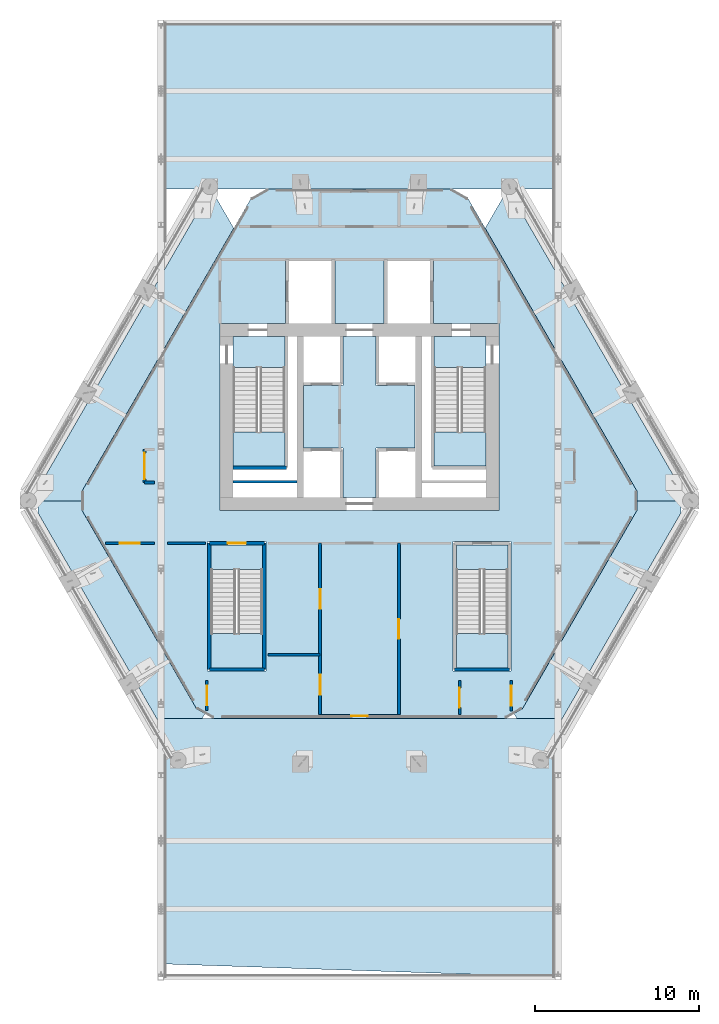
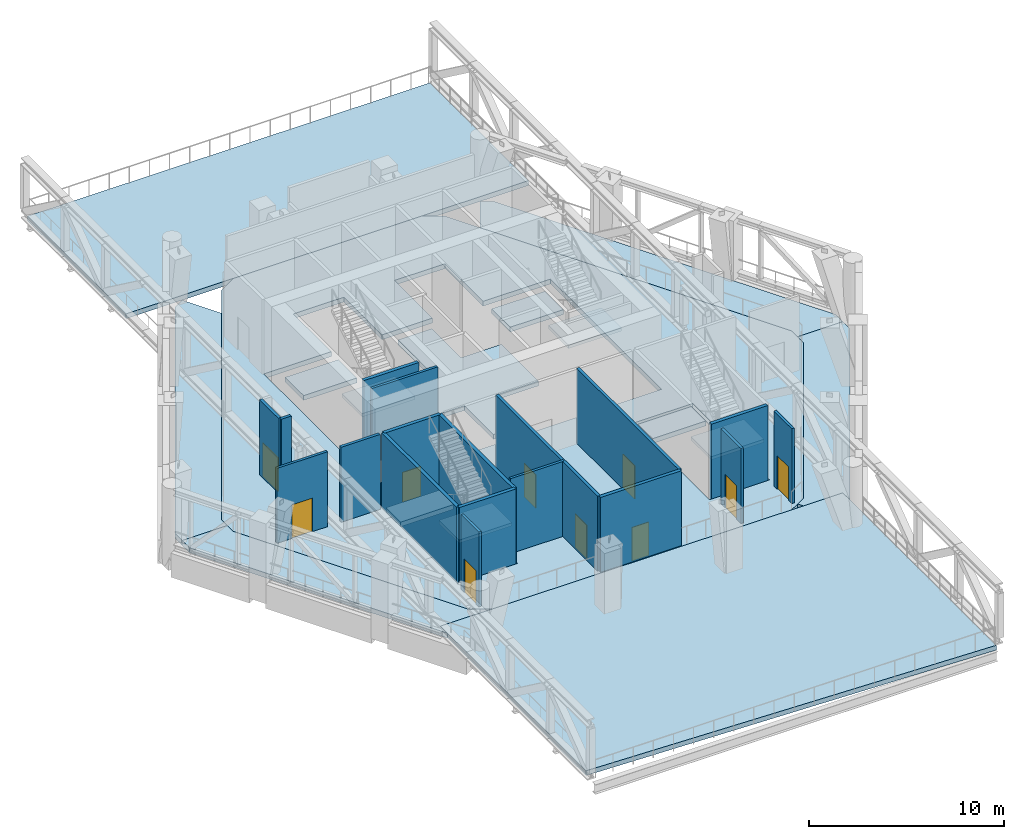
# One storey, part 9 of 22: 18 walls, 16 slabs, 10 doors, 10 openings, 4 elements without a shape of their own.
"""IFC4 building model written with IfcOpenShell, lengths in metres."""

from ifc_helpers import new_model, si_unit, direction, frame, frame_2d, origin, place, context, subcontext, project, spatial, polyline, rectangle, outline, extrude, material, layer, layer_set, type_object, element, fill, aggregate, save


model = new_model("IFC4")

# Units and contexts
model_context = context("Model", 3, precision=1e-05, world=origin(), true_north=direction((0.0, 1.0)))
body_context = subcontext(model_context, "Body", "Model", "MODEL_VIEW")
ifc_project = project(units=[si_unit("LENGTHUNIT", "METRE"), si_unit("AREAUNIT", "SQUARE_METRE"), si_unit("VOLUMEUNIT", "CUBIC_METRE"), si_unit("PLANEANGLEUNIT", "RADIAN"), si_unit("MASSUNIT", "GRAM", prefix="KILO")], contexts=[model_context])

# Site, building, storey
site_placement = place(None, origin())
site = spatial("IfcSite", under=ifc_project, at=site_placement, CompositionType="ELEMENT")
building_placement = place(site_placement, origin())
building = spatial("IfcBuilding", under=site, at=building_placement, Name="Ostrander Bayou Hotel Tower", CompositionType="ELEMENT")
storey_placement = place(building_placement, frame((0.0, 0.0, 209.5)))
storey = spatial("IfcBuildingStorey", under=building, at=storey_placement, Name="L52", CompositionType="ELEMENT", Elevation=209.5)

# Slabs
ifc_material_1 = material(Name="Concrete f'c 40 MPa", Category="concrete")
ifc_layer_1 = layer(ifc_material_1, 0.300048828125)
ifc_layer_set_1 = layer_set([ifc_layer_1], Name="SL1 floor slab 300 mm f'c 40 MPa")
slab_type_1 = type_object("IfcSlabType", Name="SL1 floor slab 300 mm f'c 40 MPa", PredefinedType="FLOOR", material=ifc_layer_set_1)
slab_1_placement = place(storey_placement, frame((0.0, 0.0, -0.300048828125)))
element("IfcSlab", 1, at=slab_1_placement, inside=storey, type_object=slab_type_1, Name="SL1 L52 1", PredefinedType="FLOOR", context=body_context, shape_type="SweptSolid", body=[
    extrude(outline(polyline([(6.624755859375, 17.300048828125), (16.908935546875, -0.5126953125), (16.908935546875, -1.712890625), (9.937744140625, -13.787109375), (8.898681640625, -14.38720703125), (-8.898681640625, -14.38720703125), (-9.937744140625, -13.787109375), (-16.908935546875, -1.712890625), (-16.908935546875, -0.5126953125), (-6.624755859375, 17.300048828125), (-5.58544921875, 17.89990234375), (5.58544921875, 17.89990234375), (6.624755859375, 17.300048828125)]), holes=[polyline([(9.25, -3.60009765625), (5.699951171875, -3.60009765625), (5.699951171875, -11.5), (9.25, -11.5), (9.25, -3.60009765625)]), polyline([(-8.5, -1.699951171875), (8.5, -1.699951171875), (8.5, 9.699951171875), (4.5, 9.699951171875), (4.5, 13.60009765625), (1.5, 13.60009765625), (1.5, 9.699951171875), (-1.5, 9.699951171875), (-1.5, 13.60009765625), (-4.5, 13.60009765625), (-4.5, 9.699951171875), (-8.5, 9.699951171875), (-8.5, -1.699951171875)]), polyline([(-5.699951171875, -3.60009765625), (-9.25, -3.60009765625), (-9.25, -11.5), (-5.699951171875, -11.5), (-5.699951171875, -3.60009765625)])]), origin(), (0.0, 0.0, 1.0), 0.300048828125),
])
slab_2_placement = place(storey_placement, frame((0.0, 0.0, -0.300048828125)))
element("IfcSlab", 2, at=slab_2_placement, inside=storey, type_object=slab_type_1, Name="cslab:L52:001", PredefinedType="FLOOR", context=body_context, shape_type="SweptSolid", body=[
    extrude(outline(polyline([(-3.39990234375, 5.89990234375), (-1.0, 5.89990234375), (-1.0, 8.89990234375), (1.0, 8.89990234375), (1.0, 5.89990234375), (3.39990234375, 5.89990234375), (3.39990234375, 2.10009765625), (1.0, 2.10009765625), (1.0, -0.89990234375), (-1.0, -0.89990234375), (-1.0, 2.10009765625), (-3.39990234375, 2.10009765625), (-3.39990234375, 5.89990234375)])), origin(), (0.0, 0.0, 1.0), 0.300048828125),
])
slab_3_placement = place(storey_placement, frame((0.0, 0.0, -0.300048828125)))
element("IfcSlab", 3, at=slab_3_placement, inside=storey, type_object=slab_type_1, Name="cslab:L52:002", PredefinedType="FLOOR", context=body_context, shape_type="SweptSolid", body=[
    extrude(outline(polyline([(-4.550048828125, 7.0), (-4.550048828125, 8.89990234375), (-7.699951171875, 8.89990234375), (-7.699951171875, 7.0), (-4.550048828125, 7.0)])), origin(), (0.0, 0.0, 1.0), 0.300048828125),
])
slab_4_placement = place(storey_placement, frame((0.0, 0.0, -0.300048828125)))
element("IfcSlab", 4, at=slab_4_placement, inside=storey, type_object=slab_type_1, Name="cslab:L52:003", PredefinedType="FLOOR", context=body_context, shape_type="SweptSolid", body=[
    extrude(outline(polyline([(7.699951171875, 7.0), (7.699951171875, 8.89990234375), (4.550048828125, 8.89990234375), (4.550048828125, 7.0), (7.699951171875, 7.0)])), origin(), (0.0, 0.0, 1.0), 0.300048828125),
])
slab_5_placement = place(storey_placement, frame((0.0, 0.0, -0.300048828125)))
element("IfcSlab", 5, at=slab_5_placement, inside=storey, type_object=slab_type_1, Name="cslab:L52:004", PredefinedType="FLOOR", context=body_context, shape_type="SweptSolid", body=[
    extrude(outline(polyline([(9.050048828125, -5.300048828125), (9.050048828125, -3.800048828125), (5.89990234375, -3.800048828125), (5.89990234375, -5.300048828125), (9.050048828125, -5.300048828125)])), origin(), (0.0, 0.0, 1.0), 0.300048828125),
])
slab_6_placement = place(storey_placement, frame((0.0, 0.0, -0.300048828125)))
element("IfcSlab", 6, at=slab_6_placement, inside=storey, type_object=slab_type_1, Name="cslab:L52:005", PredefinedType="FLOOR", context=body_context, shape_type="SweptSolid", body=[
    extrude(outline(polyline([(-5.89990234375, -5.300048828125), (-5.89990234375, -3.800048828125), (-9.050048828125, -3.800048828125), (-9.050048828125, -5.300048828125), (-5.89990234375, -5.300048828125)])), origin(), (0.0, 0.0, 1.0), 0.300048828125),
])
ifc_material_2 = material(Name="Concrete f'c 40 MPa", Category="concrete")
ifc_layer_2 = layer(ifc_material_2, 0.300048828125)
ifc_layer_set_2 = layer_set([ifc_layer_2], Name="SL4 loggia slab 300 mm f'c 40 MPa")
slab_type_2 = type_object("IfcSlabType", Name="SL4 loggia slab 300 mm f'c 40 MPa", PredefinedType="FLOOR", material=ifc_layer_set_2)
slab_7_placement = place(storey_placement, frame((0.0, 0.0, -0.300048828125)))
element("IfcSlab", 7, at=slab_7_placement, inside=storey, type_object=slab_type_2, Name="SL4 LOGGIA L52 NW 1", PredefinedType="FLOOR", context=body_context, shape_type="SweptSolid", body=[
    extrude(outline(polyline([(-19.593505859375, -0.36279296875), (-16.582275390625, 4.853271484375), (-16.1123046875, 5.667236328125), (-12.964111328125, 11.119873046875), (-12.494140625, 11.93408203125), (-9.482666015625, 17.14990234375), (-8.8330078125, 17.52490234375), (-7.6640625, 15.5), (-16.908935546875, -0.5126953125), (-16.908935546875, -1.11279296875), (-19.593505859375, -1.11279296875), (-19.593505859375, -0.36279296875)])), origin(), (0.0, 0.0, 1.0), 0.300048828125),
])
slab_8_placement = place(storey_placement, frame((0.0, 0.0, -0.300048828125)))
element("IfcSlab", 8, at=slab_8_placement, inside=storey, type_object=slab_type_2, Name="SL4 LOGGIA L52 SW 1", PredefinedType="FLOOR", context=body_context, shape_type="SweptSolid", body=[
    extrude(outline(polyline([(-9.418212890625, -14.087158203125), (-9.59130859375, -14.38720703125), (-11.93212890625, -14.38720703125), (-11.93212890625, -15.1328125), (-13.457763671875, -12.490478515625), (-13.927734375, -11.67626953125), (-17.075927734375, -6.2236328125), (-17.5458984375, -5.40966796875), (-19.593505859375, -1.86279296875), (-19.593505859375, -1.11279296875), (-16.908935546875, -1.11279296875), (-16.908935546875, -1.712890625), (-9.937744140625, -13.787109375), (-9.418212890625, -14.087158203125)])), origin(), (0.0, 0.0, 1.0), 0.300048828125),
])
slab_9_placement = place(storey_placement, frame((0.0, 0.0, -0.300048828125)))
element("IfcSlab", 9, at=slab_9_placement, inside=storey, type_object=slab_type_2, Name="SL4 LOGGIA L52 SE 1", PredefinedType="FLOOR", context=body_context, shape_type="SweptSolid", body=[
    extrude(outline(polyline([(13.927734375, -11.67626953125), (13.457763671875, -12.490478515625), (11.93212890625, -15.1328125), (11.93212890625, -14.38720703125), (9.59130859375, -14.38720703125), (9.418212890625, -14.087158203125), (9.937744140625, -13.787109375), (16.908935546875, -1.712890625), (16.908935546875, -1.11279296875), (19.593505859375, -1.11279296875), (19.593505859375, -1.86279296875), (17.5458984375, -5.40966796875), (17.075927734375, -6.2236328125), (13.927734375, -11.67626953125)])), origin(), (0.0, 0.0, 1.0), 0.300048828125),
])
slab_10_placement = place(storey_placement, frame((0.0, 0.0, -0.300048828125)))
element("IfcSlab", 10, at=slab_10_placement, inside=storey, type_object=slab_type_2, Name="SL4 LOGGIA L52 NE 1", PredefinedType="FLOOR", context=body_context, shape_type="SweptSolid", body=[
    extrude(outline(polyline([(9.482666015625, 17.14990234375), (12.494140625, 11.93408203125), (12.964111328125, 11.119873046875), (16.1123046875, 5.667236328125), (16.582275390625, 4.853271484375), (16.65771484375, 4.722412109375), (18.509033203125, 1.515625), (19.593505859375, -0.36279296875), (19.593505859375, -1.11279296875), (16.908935546875, -1.11279296875), (16.908935546875, -0.5126953125), (7.6640625, 15.5), (8.8330078125, 17.52490234375), (9.482666015625, 17.14990234375)])), origin(), (0.0, 0.0, 1.0), 0.300048828125),
])
ifc_material_3 = material(Name="Concrete f'c 40 MPa", Category="concrete")
ifc_layer_3 = layer(ifc_material_3, 0.300048828125)
ifc_layer_set_3 = layer_set([ifc_layer_3], Name="SL6B terrace roof slab 300 mm f'c 40 MPa")
slab_type_3 = type_object("IfcSlabType", Name="SL6B terrace roof slab 300 mm f'c 40 MPa", PredefinedType="ROOF", material=ifc_layer_set_3)
slab_11_placement = place(storey_placement, frame((0.0, 0.0, -0.300048828125)))
element("IfcSlab", 11, at=slab_11_placement, inside=storey, type_object=slab_type_3, Name="SL6B ROOF SB4 1", PredefinedType="ROOF", context=body_context, shape_type="SweptSolid", body=[
    extrude(outline(polyline([(-11.93212890625, -14.38720703125), (11.93212890625, -14.38720703125), (11.93212890625, -30.14990234375), (-11.93212890625, -29.35009765625), (-11.93212890625, -14.38720703125)])), origin(), (0.0, 0.0, 1.0), 0.300048828125),
])
slab_12_placement = place(storey_placement, frame((0.0, 0.0, -0.300048828125)))
element("IfcSlab", 12, at=slab_12_placement, inside=storey, type_object=slab_type_3, Name="SL6B ROOF SB4 1", PredefinedType="ROOF", context=body_context, shape_type="SweptSolid", body=[
    extrude(outline(polyline([(-11.93212890625, 28.01611328125), (11.93212890625, 28.01611328125), (11.93212890625, 17.89990234375), (-11.93212890625, 17.89990234375), (-11.93212890625, 28.01611328125)])), origin(), (0.0, 0.0, 1.0), 0.300048828125),
])

# Stair, slab
ifc_material_4 = material(Name="Concrete f'c 45 MPa", Category="concrete")
stair_type = type_object("IfcStairType", Name="ST1 exit stair 1500 mm f'c 45 MPa", PredefinedType="HALF_TURN_STAIR", material=ifc_material_4)
stair_1_placement = place(storey_placement, origin())
stair_1 = element("IfcStair", 13, at=stair_1_placement, inside=storey, type_object=stair_type, Name="L52 exit stair A", PredefinedType="HALF_TURN_STAIR")
ifc_material_5 = material(Name="Concrete f'c 45 MPa", Category="concrete")
ifc_layer_4 = layer(ifc_material_5, 0.199951171875)
ifc_layer_set_4 = layer_set([ifc_layer_4], Name="SL8 stair landing 200 mm f'c 45 MPa")
slab_type_4 = type_object("IfcSlabType", Name="SL8 stair landing 200 mm f'c 45 MPa", PredefinedType="LANDING", material=ifc_layer_set_4)
slab_13_placement = place(storey_placement, frame((0.0, 0.0, 2.300048828125)))
slab_13 = element("IfcSlab", 14, at=slab_13_placement, type_object=slab_type_4, Name="STA landing 1", PredefinedType="LANDING", context=body_context, shape_type="SweptSolid", body=[
    extrude(outline(polyline([(-7.699951171875, 3.080078125), (-7.699951171875, 1.0), (-4.550048828125, 1.0), (-4.550048828125, 3.080078125), (-7.699951171875, 3.080078125)])), origin(), (0.0, 0.0, 1.0), 0.199951171875),
])
aggregate(stair_1, [slab_13])

stair_2_placement = place(storey_placement, origin())
stair_2 = element("IfcStair", 15, at=stair_2_placement, inside=storey, type_object=stair_type, Name="L52 exit stair B", PredefinedType="HALF_TURN_STAIR")
slab_14_placement = place(storey_placement, frame((0.0, 0.0, 2.300048828125)))
slab_14 = element("IfcSlab", 16, at=slab_14_placement, type_object=slab_type_4, Name="STB landing 1", PredefinedType="LANDING", context=body_context, shape_type="SweptSolid", body=[
    extrude(outline(polyline([(4.550048828125, 3.080078125), (4.550048828125, 1.0), (7.699951171875, 1.0), (7.699951171875, 3.080078125), (4.550048828125, 3.080078125)])), origin(), (0.0, 0.0, 1.0), 0.199951171875),
])
aggregate(stair_2, [slab_14])

stair_3_placement = place(storey_placement, origin())
stair_3 = element("IfcStair", 17, at=stair_3_placement, inside=storey, type_object=stair_type, Name="L52 exit stair C", PredefinedType="HALF_TURN_STAIR")
slab_15_placement = place(storey_placement, frame((0.0, 0.0, 2.300048828125)))
slab_15 = element("IfcSlab", 18, at=slab_15_placement, type_object=slab_type_4, Name="STC landing 1", PredefinedType="LANDING", context=body_context, shape_type="SweptSolid", body=[
    extrude(outline(polyline([(5.89990234375, -9.219970703125), (5.89990234375, -11.300048828125), (9.050048828125, -11.300048828125), (9.050048828125, -9.219970703125), (5.89990234375, -9.219970703125)])), origin(), (0.0, 0.0, 1.0), 0.199951171875),
])
aggregate(stair_3, [slab_15])

stair_4_placement = place(storey_placement, origin())
stair_4 = element("IfcStair", 19, at=stair_4_placement, inside=storey, type_object=stair_type, Name="L52 exit stair D", PredefinedType="HALF_TURN_STAIR")
slab_16_placement = place(storey_placement, frame((0.0, 0.0, 2.300048828125)))
slab_16 = element("IfcSlab", 20, at=slab_16_placement, type_object=slab_type_4, Name="STD landing 1", PredefinedType="LANDING", context=body_context, shape_type="SweptSolid", body=[
    extrude(outline(polyline([(-9.050048828125, -9.219970703125), (-9.050048828125, -11.300048828125), (-5.89990234375, -11.300048828125), (-5.89990234375, -9.219970703125), (-9.050048828125, -9.219970703125)])), origin(), (0.0, 0.0, 1.0), 0.199951171875),
])
aggregate(stair_4, [slab_16])

# Walls
ifc_material_6 = material(Name="Gypsum board partition", Category="finish")
ifc_layer_5 = layer(ifc_material_6, 0.175048828125)
ifc_layer_set_5 = layer_set([ifc_layer_5], Name="PT4 corridor wall 175 mm, 1 hour")
wall_type_1 = type_object("IfcWallType", Name="PT4 corridor wall 175 mm, 1 hour", PredefinedType="PARTITIONING", material=ifc_layer_set_5)
wall_1_placement = place(storey_placement, frame((-11.7099609375, -3.699951171875, 0.0), z_axis=(0.0, 0.0, 1.0), x_axis=(1.0, 0.0, 0.0)))
element("IfcWall", 21, at=wall_1_placement, inside=storey, type_object=wall_type_1, Name="sw:L52:001", PredefinedType="PARTITIONING", context=body_context, shape_type="SweptSolid", body=[
    extrude(rectangle(XDim=2.330078125, YDim=0.175048828125, at=frame_2d((1.1650390625, 0.0))), origin(), (0.0, 0.0, 1.0), 4.699951171875),
])
wall_2_placement = place(storey_placement, frame((-13.110107421875, 0.010009765625, 0.0), z_axis=(0.0, 0.0, 1.0), x_axis=(1.0, 0.0, 0.0)))
element("IfcWall", 22, at=wall_2_placement, inside=storey, type_object=wall_type_1, Name="sw:L52:004", PredefinedType="PARTITIONING", context=body_context, shape_type="SweptSolid", body=[
    extrude(rectangle(XDim=0.60009765625, YDim=0.175048828125, at=frame_2d((0.300048828125, 0.0))), origin(), (0.0, 0.0, 1.0), 4.699951171875),
])

# Wall, opening, door
wall_3_placement = place(storey_placement, frame((-13.110107421875, 0.010498046875, 0.0), z_axis=(0.0, 0.0, 1.0), x_axis=(0.0, 1.0, 0.0)))
wall_3 = element("IfcWall", 23, at=wall_3_placement, inside=storey, type_object=wall_type_1, Name="sw:L52:009", PredefinedType="PARTITIONING", context=body_context, shape_type="SweptSolid", body=[
    extrude(rectangle(XDim=2.0, YDim=0.175048828125, at=frame_2d((1.0, 0.0))), origin(), (0.0, 0.0, 1.0), 4.699951171875),
])
opening_1_placement = place(wall_3_placement, frame((0.199951171875, 0.0, 0.0)))
opening_1 = element("IfcOpeningElement", 24, at=opening_1_placement, cuts=wall_3, Name="Opening T52-202", PredefinedType="OPENING", context=body_context, shape_type="SweptSolid", body=[
    extrude(rectangle(XDim=1.60009765625, YDim=2.10009765625, at=frame_2d((0.800048828125, 1.050048828125))), frame((0.0, 0.08740234375, 0.0), z_axis=(0.0, -1.0, 0.0), x_axis=(1.0, 0.0, 0.0)), (0.0, 0.0, 1.0), 0.175048828125),
])
ifc_material_7 = material(Name="Timber door leaf", Category="wood")
door_type_1 = type_object("IfcDoorType", Name="D13 double door 1600 x 2100 mm, 1 hour", OperationType="SINGLE_SWING_LEFT", PredefinedType="DOOR", material=ifc_material_7)
door_1_placement = place(opening_1_placement, origin())
door_1 = element("IfcDoor", 25, at=door_1_placement, inside=storey, type_object=door_type_1, Name="dr:L52:202", OperationType="DOUBLE_DOOR_SINGLE_SWING", OverallHeight=2.10009765625, OverallWidth=1.60009765625, PredefinedType="DOOR", context=body_context, shape_type="SweptSolid", body=[
    extrude(rectangle(XDim=1.60009765625, YDim=2.10009765625, at=frame_2d((0.800048828125, 1.050048828125))), frame((0.0, 0.02490234375, 0.0), z_axis=(0.0, -1.0, 0.0), x_axis=(1.0, 0.0, 0.0)), (0.0, 0.0, 1.0), 0.050048828125),
])
fill(opening_1, door_1)

# Wall, openings, doors
wall_4_placement = place(storey_placement, frame((-2.39990234375, -14.1572265625, 0.0), z_axis=(0.0, 0.0, 1.0), x_axis=(0.0, 1.0, 0.0)))
wall_4 = element("IfcWall", 26, at=wall_4_placement, inside=storey, type_object=wall_type_1, Name="sw:L52:010", PredefinedType="PARTITIONING", context=body_context, shape_type="SweptSolid", body=[
    extrude(rectangle(XDim=10.457275390625, YDim=0.175048828125, at=frame_2d((5.228515625, 0.0))), origin(), (0.0, 0.0, 1.0), 4.699951171875),
])
opening_2_placement = place(wall_4_placement, frame((1.228515625, 0.0, 0.0)))
opening_2 = element("IfcOpeningElement", 27, at=opening_2_placement, cuts=wall_4, Name="Opening T52-207", PredefinedType="OPENING", context=body_context, shape_type="SweptSolid", body=[
    extrude(rectangle(XDim=1.199951171875, YDim=2.10009765625, at=frame_2d((0.60009765625, 1.050048828125))), frame((0.0, 0.08740234375, 0.0), z_axis=(0.0, -1.0, 0.0), x_axis=(1.0, 0.0, 0.0)), (0.0, 0.0, 1.0), 0.175048828125),
])
opening_3_placement = place(wall_4_placement, frame((6.457275390625, 0.0, 0.0)))
opening_3 = element("IfcOpeningElement", 28, at=opening_3_placement, cuts=wall_4, Name="Opening T52-208", PredefinedType="OPENING", context=body_context, shape_type="SweptSolid", body=[
    extrude(rectangle(XDim=1.199951171875, YDim=2.10009765625, at=frame_2d((0.60009765625, 1.050048828125))), frame((0.0, 0.08740234375, 0.0), z_axis=(0.0, -1.0, 0.0), x_axis=(1.0, 0.0, 0.0)), (0.0, 0.0, 1.0), 0.175048828125),
])
ifc_material_8 = material(Name="Timber door leaf", Category="wood")
door_type_2 = type_object("IfcDoorType", Name="D10 plant room door 1200 x 2100 mm, 1 hour", OperationType="SINGLE_SWING_LEFT", PredefinedType="DOOR", material=ifc_material_8)
door_2_placement = place(opening_2_placement, origin())
door_2 = element("IfcDoor", 29, at=door_2_placement, inside=storey, type_object=door_type_2, Name="dr:L52:207", OperationType="SINGLE_SWING_LEFT", OverallHeight=2.10009765625, OverallWidth=1.199951171875, PredefinedType="DOOR", context=body_context, shape_type="SweptSolid", body=[
    extrude(rectangle(XDim=1.199951171875, YDim=2.10009765625, at=frame_2d((0.60009765625, 1.050048828125))), frame((0.0, 0.02490234375, 0.0), z_axis=(0.0, -1.0, 0.0), x_axis=(1.0, 0.0, 0.0)), (0.0, 0.0, 1.0), 0.050048828125),
])
fill(opening_2, door_2)
door_3_placement = place(opening_3_placement, origin())
door_3 = element("IfcDoor", 30, at=door_3_placement, inside=storey, type_object=door_type_2, Name="dr:L52:208", OperationType="SINGLE_SWING_RIGHT", OverallHeight=2.10009765625, OverallWidth=1.199951171875, PredefinedType="DOOR", context=body_context, shape_type="SweptSolid", body=[
    extrude(rectangle(XDim=1.199951171875, YDim=2.10009765625, at=frame_2d((0.60009765625, 1.050048828125))), frame((0.0, 0.02490234375, 0.0), z_axis=(0.0, -1.0, 0.0), x_axis=(1.0, 0.0, 0.0)), (0.0, 0.0, 1.0), 0.050048828125),
])
fill(opening_3, door_3)

# Wall, opening, door
wall_5_placement = place(storey_placement, frame((2.39990234375, -14.1572265625, 0.0), z_axis=(0.0, 0.0, 1.0), x_axis=(0.0, 1.0, 0.0)))
wall_5 = element("IfcWall", 31, at=wall_5_placement, inside=storey, type_object=wall_type_1, Name="sw:L52:012", PredefinedType="PARTITIONING", context=body_context, shape_type="SweptSolid", body=[
    extrude(rectangle(XDim=10.457275390625, YDim=0.175048828125, at=frame_2d((5.228515625, 0.0))), origin(), (0.0, 0.0, 1.0), 4.699951171875),
])
opening_4_placement = place(wall_5_placement, frame((4.628662109375, 0.0, 0.0)))
opening_4 = element("IfcOpeningElement", 32, at=opening_4_placement, cuts=wall_5, Name="Opening T52-209", PredefinedType="OPENING", context=body_context, shape_type="SweptSolid", body=[
    extrude(rectangle(XDim=1.199951171875, YDim=2.10009765625, at=frame_2d((0.60009765625, 1.050048828125))), frame((0.0, 0.08740234375, 0.0), z_axis=(0.0, -1.0, 0.0), x_axis=(1.0, 0.0, 0.0)), (0.0, 0.0, 1.0), 0.175048828125),
])
door_4_placement = place(opening_4_placement, origin())
door_4 = element("IfcDoor", 33, at=door_4_placement, inside=storey, type_object=door_type_2, Name="dr:L52:209", OperationType="SINGLE_SWING_LEFT", OverallHeight=2.10009765625, OverallWidth=1.199951171875, PredefinedType="DOOR", context=body_context, shape_type="SweptSolid", body=[
    extrude(rectangle(XDim=1.199951171875, YDim=2.10009765625, at=frame_2d((0.60009765625, 1.050048828125))), frame((0.0, 0.02490234375, 0.0), z_axis=(0.0, -1.0, 0.0), x_axis=(1.0, 0.0, 0.0)), (0.0, 0.0, 1.0), 0.050048828125),
])
fill(opening_4, door_4)

# Walls
ifc_material_9 = material(Name="Gypsum board partition", Category="finish")
ifc_layer_6 = layer(ifc_material_9, 0.14990234375)
ifc_layer_set_6 = layer_set([ifc_layer_6], Name="PT7 riser wall 150 mm, 2 hour")
wall_type_2 = type_object("IfcWallType", Name="PT7 riser wall 150 mm, 2 hour", PredefinedType="PARTITIONING", material=ifc_layer_set_6)
wall_6_placement = place(storey_placement, frame((-7.699951171875, 0.050048828125, 0.0), z_axis=(0.0, 0.0, 1.0), x_axis=(1.0, 0.0, 0.0)))
element("IfcWall", 34, at=wall_6_placement, inside=storey, type_object=wall_type_2, Name="cs:L52:011", PredefinedType="PARTITIONING", context=body_context, shape_type="SweptSolid", body=[
    extrude(rectangle(XDim=3.89990234375, YDim=0.14990234375, at=frame_2d((1.949951171875, 0.0))), origin(), (0.0, 0.0, 1.0), 4.699951171875),
])
wall_7_placement = place(storey_placement, frame((-5.570068359375, -10.5, 0.0), z_axis=(0.0, 0.0, 1.0), x_axis=(1.0, 0.0, 0.0)))
element("IfcWall", 35, at=wall_7_placement, inside=storey, type_object=wall_type_2, Name="sw:L52:015", PredefinedType="PARTITIONING", context=body_context, shape_type="SweptSolid", body=[
    extrude(rectangle(XDim=3.170166015625, YDim=0.14990234375, at=frame_2d((1.5849609375, 0.0))), origin(), (0.0, 0.0, 1.0), 4.699951171875),
])

# Wall, opening, door
wall_8_placement = place(storey_placement, frame((-15.49609375, -3.699951171875, 0.0), z_axis=(0.0, 0.0, 1.0), x_axis=(1.0, 0.0, 0.0)))
wall_8 = element("IfcWall", 36, at=wall_8_placement, inside=storey, type_object=wall_type_2, Name="sw:L52:016", PredefinedType="PARTITIONING", context=body_context, shape_type="SweptSolid", body=[
    extrude(rectangle(XDim=2.986083984375, YDim=0.14990234375, at=frame_2d((1.4931640625, 0.0))), origin(), (0.0, 0.0, 1.0), 4.699951171875),
])
opening_5_placement = place(wall_8_placement, frame((0.89306640625, 0.0, 0.0)))
opening_5 = element("IfcOpeningElement", 37, at=opening_5_placement, cuts=wall_8, Name="Opening T52-204", PredefinedType="OPENING", context=body_context, shape_type="SweptSolid", body=[
    extrude(rectangle(XDim=1.199951171875, YDim=2.10009765625, at=frame_2d((0.60009765625, 1.050048828125))), frame((0.0, 0.074951171875, 0.0), z_axis=(0.0, -1.0, 0.0), x_axis=(1.0, 0.0, 0.0)), (0.0, 0.0, 1.0), 0.14990234375),
])
door_5_placement = place(opening_5_placement, origin())
door_5 = element("IfcDoor", 38, at=door_5_placement, inside=storey, type_object=door_type_2, Name="dr:L52:204", OperationType="SINGLE_SWING_RIGHT", OverallHeight=2.10009765625, OverallWidth=1.199951171875, PredefinedType="DOOR", context=body_context, shape_type="SweptSolid", body=[
    extrude(rectangle(XDim=1.199951171875, YDim=2.10009765625, at=frame_2d((0.60009765625, 1.050048828125))), frame((0.0, 0.02490234375, 0.0), z_axis=(0.0, -1.0, 0.0), x_axis=(1.0, 0.0, 0.0)), (0.0, 0.0, 1.0), 0.050048828125),
])
fill(opening_5, door_5)

wall_9_placement = place(storey_placement, frame((-9.300048828125, -13.889892578125, 0.0), z_axis=(0.0, 0.0, 1.0), x_axis=(0.0, 1.0, 0.0)))
wall_9 = element("IfcWall", 39, at=wall_9_placement, inside=storey, type_object=wall_type_2, Name="sw:L52:018", PredefinedType="PARTITIONING", context=body_context, shape_type="SweptSolid", body=[
    extrude(rectangle(XDim=1.809814453125, YDim=0.14990234375, at=frame_2d((0.90478515625, 0.0))), origin(), (0.0, 0.0, 1.0), 4.699951171875),
])
opening_6_placement = place(wall_9_placement, frame((0.304931640625, 0.0, 0.0)))
opening_6 = element("IfcOpeningElement", 40, at=opening_6_placement, cuts=wall_9, Name="Opening T52-206", PredefinedType="OPENING", context=body_context, shape_type="SweptSolid", body=[
    extrude(rectangle(XDim=1.199951171875, YDim=2.10009765625, at=frame_2d((0.60009765625, 1.050048828125))), frame((0.0, 0.074951171875, 0.0), z_axis=(0.0, -1.0, 0.0), x_axis=(1.0, 0.0, 0.0)), (0.0, 0.0, 1.0), 0.14990234375),
])
door_6_placement = place(opening_6_placement, origin())
door_6 = element("IfcDoor", 41, at=door_6_placement, inside=storey, type_object=door_type_2, Name="dr:L52:206", OperationType="SINGLE_SWING_RIGHT", OverallHeight=2.10009765625, OverallWidth=1.199951171875, PredefinedType="DOOR", context=body_context, shape_type="SweptSolid", body=[
    extrude(rectangle(XDim=1.199951171875, YDim=2.10009765625, at=frame_2d((0.60009765625, 1.050048828125))), frame((0.0, 0.02490234375, 0.0), z_axis=(0.0, -1.0, 0.0), x_axis=(1.0, 0.0, 0.0)), (0.0, 0.0, 1.0), 0.050048828125),
])
fill(opening_6, door_6)

wall_10_placement = place(storey_placement, frame((6.10009765625, -14.1572265625, 0.0), z_axis=(0.0, 0.0, 1.0), x_axis=(0.0, 1.0, 0.0)))
wall_10 = element("IfcWall", 42, at=wall_10_placement, inside=storey, type_object=wall_type_2, Name="sw:L52:019", PredefinedType="PARTITIONING", context=body_context, shape_type="SweptSolid", body=[
    extrude(rectangle(XDim=2.0771484375, YDim=0.14990234375, at=frame_2d((1.03857421875, 0.0))), origin(), (0.0, 0.0, 1.0), 4.699951171875),
])
opening_7_placement = place(wall_10_placement, frame((0.438720703125, 0.0, 0.0)))
opening_7 = element("IfcOpeningElement", 43, at=opening_7_placement, cuts=wall_10, Name="Opening T52-210", PredefinedType="OPENING", context=body_context, shape_type="SweptSolid", body=[
    extrude(rectangle(XDim=1.199951171875, YDim=2.10009765625, at=frame_2d((0.60009765625, 1.050048828125))), frame((0.0, 0.074951171875, 0.0), z_axis=(0.0, -1.0, 0.0), x_axis=(1.0, 0.0, 0.0)), (0.0, 0.0, 1.0), 0.14990234375),
])
door_7_placement = place(opening_7_placement, origin())
door_7 = element("IfcDoor", 44, at=door_7_placement, inside=storey, type_object=door_type_2, Name="dr:L52:210", OperationType="SINGLE_SWING_RIGHT", OverallHeight=2.10009765625, OverallWidth=1.199951171875, PredefinedType="DOOR", context=body_context, shape_type="SweptSolid", body=[
    extrude(rectangle(XDim=1.199951171875, YDim=2.10009765625, at=frame_2d((0.60009765625, 1.050048828125))), frame((0.0, 0.02490234375, 0.0), z_axis=(0.0, -1.0, 0.0), x_axis=(1.0, 0.0, 0.0)), (0.0, 0.0, 1.0), 0.050048828125),
])
fill(opening_7, door_7)

wall_11_placement = place(storey_placement, frame((9.25, -13.918701171875, 0.0), z_axis=(0.0, 0.0, 1.0), x_axis=(0.0, 1.0, 0.0)))
wall_11 = element("IfcWall", 45, at=wall_11_placement, inside=storey, type_object=wall_type_2, Name="sw:L52:020", PredefinedType="PARTITIONING", context=body_context, shape_type="SweptSolid", body=[
    extrude(rectangle(XDim=1.838623046875, YDim=0.14990234375, at=frame_2d((0.91943359375, 0.0))), origin(), (0.0, 0.0, 1.0), 4.699951171875),
])
opening_8_placement = place(wall_11_placement, frame((0.3193359375, 0.0, 0.0)))
opening_8 = element("IfcOpeningElement", 46, at=opening_8_placement, cuts=wall_11, Name="Opening T52-211", PredefinedType="OPENING", context=body_context, shape_type="SweptSolid", body=[
    extrude(rectangle(XDim=1.199951171875, YDim=2.10009765625, at=frame_2d((0.60009765625, 1.050048828125))), frame((0.0, 0.074951171875, 0.0), z_axis=(0.0, -1.0, 0.0), x_axis=(1.0, 0.0, 0.0)), (0.0, 0.0, 1.0), 0.14990234375),
])
door_8_placement = place(opening_8_placement, origin())
door_8 = element("IfcDoor", 47, at=door_8_placement, inside=storey, type_object=door_type_2, Name="dr:L52:211", OperationType="SINGLE_SWING_LEFT", OverallHeight=2.10009765625, OverallWidth=1.199951171875, PredefinedType="DOOR", context=body_context, shape_type="SweptSolid", body=[
    extrude(rectangle(XDim=1.199951171875, YDim=2.10009765625, at=frame_2d((0.60009765625, 1.050048828125))), frame((0.0, 0.02490234375, 0.0), z_axis=(0.0, -1.0, 0.0), x_axis=(1.0, 0.0, 0.0)), (0.0, 0.0, 1.0), 0.050048828125),
])
fill(opening_8, door_8)

ifc_material_10 = material(Name="Masonry block", Category="masonry")
ifc_layer_7 = layer(ifc_material_10, 0.199951171875)
ifc_layer_set_7 = layer_set([ifc_layer_7], Name="PT9 exterior screen wall 200 mm masonry, 1 hour")
wall_type_3 = type_object("IfcWallType", Name="PT9 exterior screen wall 200 mm masonry, 1 hour", PredefinedType="PARTITIONING", material=ifc_layer_set_7)
wall_12_placement = place(storey_placement, frame((-2.39990234375, -14.2373046875, 0.0), z_axis=(0.0, 0.0, 1.0), x_axis=(1.0, 0.0, 0.0)))
wall_12 = element("IfcWall", 48, at=wall_12_placement, inside=storey, type_object=wall_type_3, Name="sw:L52:021", PredefinedType="PARTITIONING", context=body_context, shape_type="SweptSolid", body=[
    extrude(rectangle(XDim=4.7998046875, YDim=0.199951171875, at=frame_2d((2.39990234375, 0.0))), origin(), (0.0, 0.0, 1.0), 4.699951171875),
])
opening_9_placement = place(wall_12_placement, frame((1.89990234375, 0.0, 0.0)))
opening_9 = element("IfcOpeningElement", 49, at=opening_9_placement, cuts=wall_12, Name="Opening T52-214", PredefinedType="OPENING", context=body_context, shape_type="SweptSolid", body=[
    extrude(rectangle(XDim=1.0, YDim=2.10009765625, at=frame_2d((0.5, 1.050048828125))), frame((0.0, 0.10009765625, 0.0), z_axis=(0.0, -1.0, 0.0), x_axis=(1.0, 0.0, 0.0)), (0.0, 0.0, 1.0), 0.199951171875),
])
ifc_material_11 = material(Name="Timber door leaf", Category="wood")
door_type_3 = type_object("IfcDoorType", Name="D4 corridor door 1000 x 2100 mm, 1 hour", OperationType="SINGLE_SWING_LEFT", PredefinedType="DOOR", material=ifc_material_11)
door_9_placement = place(opening_9_placement, origin())
door_9 = element("IfcDoor", 50, at=door_9_placement, inside=storey, type_object=door_type_3, Name="dr:L52:214", OperationType="SINGLE_SWING_LEFT", OverallHeight=2.10009765625, OverallWidth=1.0, PredefinedType="DOOR", context=body_context, shape_type="SweptSolid", body=[
    extrude(rectangle(XDim=1.0, YDim=2.10009765625, at=frame_2d((0.5, 1.050048828125))), frame((0.0, 0.02490234375, 0.0), z_axis=(0.0, -1.0, 0.0), x_axis=(1.0, 0.0, 0.0)), (0.0, 0.0, 1.0), 0.050048828125),
])
fill(opening_9, door_9)

# Walls
ifc_material_12 = material(Name="Concrete f'c 45 MPa", Category="concrete")
ifc_layer_8 = layer(ifc_material_12, 0.199951171875)
ifc_layer_set_8 = layer_set([ifc_layer_8], Name="SW5 stair enclosure wall 200 mm f'c 45 MPa")
wall_type_4 = type_object("IfcWallType", Name="SW5 stair enclosure wall 200 mm f'c 45 MPa", PredefinedType="SOLIDWALL", material=ifc_layer_set_8)
wall_13_placement = place(storey_placement, frame((-7.699951171875, 0.89990234375, -0.300048828125), z_axis=(0.0, 0.0, 1.0), x_axis=(1.0, 0.0, 0.0)))
element("IfcWall", 51, at=wall_13_placement, inside=storey, type_object=wall_type_4, Name="cs:L52:010", PredefinedType="SOLIDWALL", context=body_context, shape_type="SweptSolid", body=[
    extrude(rectangle(XDim=3.25, YDim=0.199951171875, at=frame_2d((1.625, 0.0))), origin(), (0.0, 0.0, 1.0), 5.0),
])
wall_14_placement = place(storey_placement, frame((5.800048828125, -11.39990234375, -0.300048828125), z_axis=(0.0, 0.0, 1.0), x_axis=(1.0, 0.0, 0.0)))
element("IfcWall", 52, at=wall_14_placement, inside=storey, type_object=wall_type_4, Name="cs:L52:018", PredefinedType="SOLIDWALL", context=body_context, shape_type="SweptSolid", body=[
    extrude(rectangle(XDim=3.349853515625, YDim=0.199951171875, at=frame_2d((1.6748046875, 0.0))), origin(), (0.0, 0.0, 1.0), 5.0),
])

# Wall, opening, door
wall_15_placement = place(storey_placement, frame((-9.14990234375, -3.699951171875, -0.300048828125), z_axis=(0.0, 0.0, 1.0), x_axis=(1.0, 0.0, 0.0)))
wall_15 = element("IfcWall", 53, at=wall_15_placement, inside=storey, type_object=wall_type_4, Name="cs:L52:019", PredefinedType="SOLIDWALL", context=body_context, shape_type="SweptSolid", body=[
    extrude(rectangle(XDim=3.349853515625, YDim=0.199951171875, at=frame_2d((1.6748046875, 0.0))), origin(), (0.0, 0.0, 1.0), 5.0),
])
opening_10_placement = place(wall_15_placement, frame((1.125, 0.0, 0.0)))
opening_10 = element("IfcOpeningElement", 54, at=opening_10_placement, cuts=wall_15, Name="Opening T52-012", PredefinedType="OPENING", context=body_context, shape_type="SweptSolid", body=[
    extrude(rectangle(XDim=1.10009765625, YDim=2.10009765625, at=frame_2d((0.550048828125, 1.050048828125))), frame((0.0, 0.10009765625, 0.0), z_axis=(0.0, -1.0, 0.0), x_axis=(1.0, 0.0, 0.0)), (0.0, 0.0, 1.0), 0.199951171875),
])
ifc_material_13 = material(Name="Timber door leaf", Category="wood")
door_type_4 = type_object("IfcDoorType", Name="D5 stair door 1100 x 2100 mm, 90 minute", OperationType="SINGLE_SWING_LEFT", PredefinedType="DOOR", material=ifc_material_13)
door_10_placement = place(opening_10_placement, origin())
door_10 = element("IfcDoor", 55, at=door_10_placement, inside=storey, type_object=door_type_4, Name="dr:L52:012", OperationType="SINGLE_SWING_LEFT", OverallHeight=2.10009765625, OverallWidth=1.10009765625, PredefinedType="DOOR", context=body_context, shape_type="SweptSolid", body=[
    extrude(rectangle(XDim=1.10009765625, YDim=2.10009765625, at=frame_2d((0.550048828125, 1.050048828125))), frame((0.0, 0.02490234375, 0.0), z_axis=(0.0, -1.0, 0.0), x_axis=(1.0, 0.0, 0.0)), (0.0, 0.0, 1.0), 0.050048828125),
])
fill(opening_10, door_10)

# Walls
for number, where, z_axis, x_axis, name in (
    (56, (-9.14990234375, -3.699951171875, -0.300048828125), (0.0, 0.0, 1.0), (0.0, -1.0, 0.0), "cs:L52:020"),
    (57, (-5.800048828125, -3.699951171875, -0.300048828125), (0.0, 0.0, 1.0), (0.0, -1.0, 0.0), "cs:L52:021"),
):
    element("IfcWall", number, at=place(storey_placement, frame(where, z_axis=z_axis, x_axis=x_axis)), inside=storey, type_object=wall_type_4, Name=name, PredefinedType="SOLIDWALL", context=body_context, shape_type="SweptSolid", body=[
        extrude(rectangle(XDim=7.699951171875, YDim=0.199951171875, at=frame_2d((3.85009765625, 0.0))), origin(), (0.0, 0.0, 1.0), 5.0),
    ])
wall_16_placement = place(storey_placement, frame((-9.14990234375, -11.39990234375, -0.300048828125), z_axis=(0.0, 0.0, 1.0), x_axis=(1.0, 0.0, 0.0)))
element("IfcWall", 58, at=wall_16_placement, inside=storey, type_object=wall_type_4, Name="cs:L52:022", PredefinedType="SOLIDWALL", context=body_context, shape_type="SweptSolid", body=[
    extrude(rectangle(XDim=3.349853515625, YDim=0.199951171875, at=frame_2d((1.6748046875, 0.0))), origin(), (0.0, 0.0, 1.0), 5.0),
])

save(model, "model.ifc")
